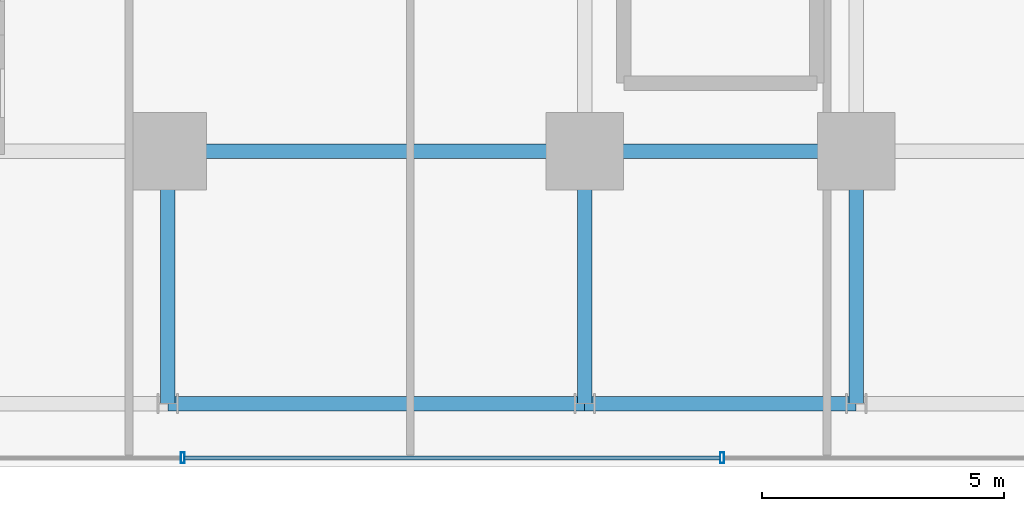
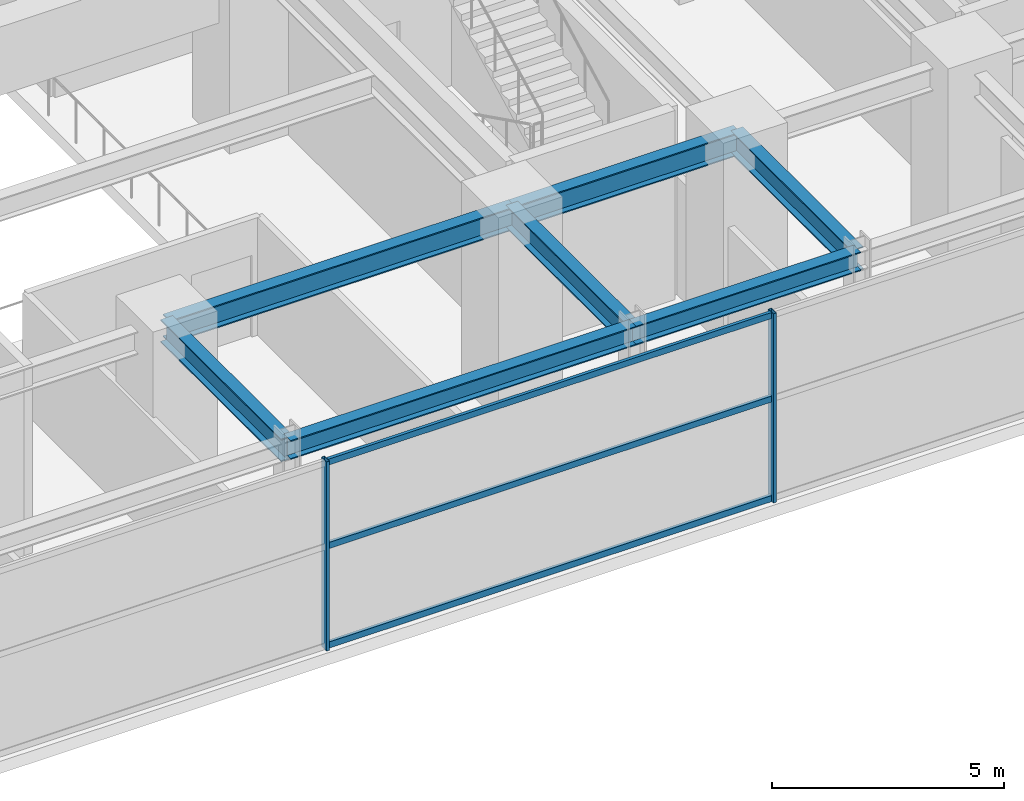
# One storey, part 6 of 35: 7 beams, 5 members, 1 element without a shape of its own.
"""IFC4 building model written with IfcOpenShell, lengths in metres."""

import ifcopenshell
import ifcopenshell.guid

model = None  # the IFC model being written
_history = None  # IfcOwnerHistory: only IFC2X3 demands one
_inside = {}  # id of a spatial element -> (the spatial element, [elements in it])
_under = {}  # id of a project, library or spatial element -> (it, [spatial elements below it])
_declared = {}  # id of a project -> (the project, [libraries it declares])
_typed = {}  # id of a type object -> (the type object, [elements of that type])
_made_of = {}  # id of a material, layer set ... -> (it, [elements and type objects made of it])


def new_model(schema):
    """Start an empty IFC model of exactly this schema.

    Asked for "IFC4X3", IfcOpenShell would pick the latest addendum, in which some entities
    have other attributes; the version numbers below select the first issue.
    IFC2X3 requires an IfcOwnerHistory on every rooted entity: one is made here for all.
    """
    global model, _history
    if schema == "IFC4X3":
        model = ifcopenshell.file(schema_version=(4, 3, 0, 0))
    else:
        model = ifcopenshell.file(schema=schema)
    _inside.clear()
    _under.clear()
    _declared.clear()
    _typed.clear()
    _made_of.clear()
    _history = None
    if model.schema == "IFC2X3":
        org = make("IfcOrganization", Name="unknown")
        user = make(
            "IfcPersonAndOrganization",
            ThePerson=make("IfcPerson", FamilyName="unknown"),
            TheOrganization=org,
        )
        app = make(
            "IfcApplication",
            ApplicationDeveloper=org,
            Version="unknown",
            ApplicationFullName="unknown",
            ApplicationIdentifier="unknown",
        )
        _history = make(
            "IfcOwnerHistory",
            OwningUser=user,
            OwningApplication=app,
            ChangeAction="ADDED",
            CreationDate=0,
        )
    return model


def make(cls, **values):
    """One entity of the class cls with the attributes given. An attribute that is None is left unset."""
    return model.create_entity(
        cls, **{name: value for name, value in values.items() if value is not None}
    )


def rooted(cls, **values):
    """An entity with a GlobalId (a new one), such as an element, a storey or a relation."""
    return make(cls, GlobalId=ifcopenshell.guid.new(), OwnerHistory=_history, **values)


def si_unit(unit_type, name, prefix=None):
    """IfcSIUnit, for example si_unit("LENGTHUNIT", "METRE", prefix="MILLI")."""
    return make("IfcSIUnit", UnitType=unit_type, Prefix=prefix, Name=name)


def assignment(units):
    """IfcUnitAssignment: the units of a project."""
    return None if units is None else make("IfcUnitAssignment", Units=units)


def point(xyz):
    """IfcCartesianPoint."""
    return None if xyz is None else make("IfcCartesianPoint", Coordinates=xyz)


def direction(xyz):
    """IfcDirection."""
    return None if xyz is None else make("IfcDirection", DirectionRatios=xyz)


def frame(location, z_axis=None, x_axis=None):
    """IfcAxis2Placement3D, a coordinate frame: its origin and axes. An axis left out is left unset."""
    return make(
        "IfcAxis2Placement3D",
        Location=point(location),
        Axis=direction(z_axis),
        RefDirection=direction(x_axis),
    )


def frame_2d(location, x_axis=None):
    """IfcAxis2Placement2D, a coordinate frame in the plane: its origin and x axis."""
    return make(
        "IfcAxis2Placement2D", Location=point(location), RefDirection=direction(x_axis)
    )


def origin():
    """The frame at (0, 0, 0) with its axes left unset."""
    return frame((0.0, 0.0, 0.0))


def origin_2d():
    """The frame at (0, 0) in the plane with its x axis left unset."""
    return frame_2d((0.0, 0.0))


def place(relative_to, where):
    """IfcLocalPlacement: puts the frame where relative to a parent placement (None: the world)."""
    return make(
        "IfcLocalPlacement", PlacementRelTo=relative_to, RelativePlacement=where
    )


def context(
    kind, dimensions, precision=None, world=None, true_north=None, identifier=None
):
    """IfcGeometricRepresentationContext, for example the 3D "Model" context."""
    return make(
        "IfcGeometricRepresentationContext",
        ContextIdentifier=identifier,
        ContextType=kind,
        CoordinateSpaceDimension=dimensions,
        Precision=precision,
        WorldCoordinateSystem=world,
        TrueNorth=true_north,
    )


def subcontext(parent, identifier, kind, view, scale=None):
    """IfcGeometricRepresentationSubContext, for example "Body" below "Model"."""
    return make(
        "IfcGeometricRepresentationSubContext",
        ContextIdentifier=identifier,
        ContextType=kind,
        ParentContext=parent,
        TargetScale=scale,
        TargetView=view,
    )


def project(units=None, contexts=None):
    """IfcProject with its units and contexts."""
    return rooted(
        "IfcProject",
        Name="project",
        RepresentationContexts=contexts,
        UnitsInContext=assignment(units),
    )


def spatial(cls, under=None, at=None, **own):
    """A site, building, storey or space (cls), placed at a placement, below another one or the project."""
    s = rooted(cls, ObjectPlacement=at, **own)
    if under is not None:
        _under.setdefault(under.id(), (under, []))[1].append(s)
    return s


def profile(cls, at=None, kind="AREA", **sizes):
    """A parametric profile (cls). Its sizes go by their IFC names, for example OverallWidth=200.0."""
    return make(cls, ProfileType=kind, Position=at, **sizes)


def hollow_rectangle(**sizes):
    """IfcRectangleHollowProfileDef."""
    return profile("IfcRectangleHollowProfileDef", **sizes)


def i_section(**sizes):
    """IfcIShapeProfileDef."""
    return profile("IfcIShapeProfileDef", **sizes)


def extrude(swept, where, along, depth):
    """IfcExtrudedAreaSolid: the profile swept, set in the frame where, extruded along a direction by depth."""
    return make(
        "IfcExtrudedAreaSolid",
        SweptArea=swept,
        Position=where,
        ExtrudedDirection=direction(along),
        Depth=depth,
    )


def shape(context_of_items, identifier, shape_type, items):
    """IfcShapeRepresentation: the items that make up one representation, for example the "Body"."""
    return make(
        "IfcShapeRepresentation",
        ContextOfItems=context_of_items,
        RepresentationIdentifier=identifier,
        RepresentationType=shape_type,
        Items=items,
    )


def source(mapping_origin, context_of_items, identifier, shape_type, items):
    """IfcRepresentationMap: a shape defined once, which mapped items show again and again."""
    return make(
        "IfcRepresentationMap",
        MappingOrigin=mapping_origin,
        MappedRepresentation=shape(context_of_items, identifier, shape_type, items),
    )


def transform(
    local_origin,
    x_axis=None,
    y_axis=None,
    z_axis=None,
    scale=None,
    scale2=None,
    scale3=None,
    uniform=True,
):
    """IfcCartesianTransformationOperator3D, or its non-uniform kind. x_axis, y_axis, z_axis: its Axis1, 2, 3."""
    if uniform:
        return make(
            "IfcCartesianTransformationOperator3D",
            Axis1=direction(x_axis),
            Axis2=direction(y_axis),
            LocalOrigin=point(local_origin),
            Scale=scale,
            Axis3=direction(z_axis),
        )
    return make(
        "IfcCartesianTransformationOperator3DnonUniform",
        Axis1=direction(x_axis),
        Axis2=direction(y_axis),
        LocalOrigin=point(local_origin),
        Scale=scale,
        Axis3=direction(z_axis),
        Scale2=scale2,
        Scale3=scale3,
    )


def mapped(mapping_source, mapping_target):
    """IfcMappedItem: shows the shape of a source again, moved by a transform."""
    return make(
        "IfcMappedItem", MappingSource=mapping_source, MappingTarget=mapping_target
    )


def material(Name=None, Category=None):
    """IfcMaterial."""
    return make("IfcMaterial", Name=Name, Category=Category)


def material_profile(
    of_material, cross_section, Name=None, Category=None, Priority=None
):
    """IfcMaterialProfile: a cross section and its material."""
    return make(
        "IfcMaterialProfile",
        Name=Name,
        Material=of_material,
        Profile=cross_section,
        Priority=Priority,
        Category=Category,
    )


def profile_set(profiles, Name=None, composite=None):
    """IfcMaterialProfileSet."""
    return make(
        "IfcMaterialProfileSet",
        Name=Name,
        MaterialProfiles=profiles,
        CompositeProfile=composite,
    )


def made_of(thing, what):
    """Note that an element or type object is made of a material, layer set ...; save() writes the relation."""
    if what is not None:
        _made_of.setdefault(what.id(), (what, []))[1].append(thing)
    return thing


def type_object(cls, material=None, **own):
    """A type object (cls), such as IfcWallType, which elements share."""
    return made_of(rooted(cls, **own), material)


def element(
    cls,
    number,
    at=None,
    inside=None,
    cuts=None,
    type_object=None,
    material=None,
    context=None,
    identifier="Body",
    shape_type=None,
    held_by="IfcProductDefinitionShape",
    body=None,
    shapes=None,
    **own,
):
    """One element of the class cls, such as IfcWall. Its Tag is "e" and its number.

    at: its placement. inside: the storey or other place that contains it. cuts: it is an
    opening in that element (IfcRelVoidsElement). A single representation is given by context,
    identifier, shape_type and body (its items); several are given by shapes. held_by: the class
    of the entity that holds the representations. save() writes the other relations.
    """
    e = rooted(cls, Tag="e%d" % number, ObjectPlacement=at, **own)
    if body is not None:
        shapes = [shape(context, identifier, shape_type, body)]
    if shapes is not None:
        e.Representation = make(held_by, Representations=shapes)
    if inside is not None:
        _inside.setdefault(inside.id(), (inside, []))[1].append(e)
    if cuts is not None:
        rooted(
            "IfcRelVoidsElement", RelatingBuildingElement=cuts, RelatedOpeningElement=e
        )
    if type_object is not None:
        _typed.setdefault(type_object.id(), (type_object, []))[1].append(e)
    return made_of(e, material)


def aggregate(whole, parts):
    """IfcRelAggregates: a whole, such as a stair, and the parts it consists of."""
    return rooted("IfcRelAggregates", RelatingObject=whole, RelatedObjects=parts)


def save(model, path):
    """Write the relations noted so far, then the file.

    IfcRelAggregates (storeys below a building ...), IfcRelContainedInSpatialStructure (elements
    in a storey), IfcRelDefinesByType, IfcRelAssociatesMaterial and IfcRelDeclares: one each for
    every whole, place, type object, material and project.
    """
    for whole, parts in _under.values():
        aggregate(whole, parts)
    for where, things in _inside.values():
        rooted(
            "IfcRelContainedInSpatialStructure",
            RelatedElements=things,
            RelatingStructure=where,
        )
    for kind, things in _typed.values():
        rooted("IfcRelDefinesByType", RelatedObjects=things, RelatingType=kind)
    for what, things in _made_of.values():
        rooted("IfcRelAssociatesMaterial", RelatedObjects=things, RelatingMaterial=what)
    for by, libraries in _declared.values():
        rooted("IfcRelDeclares", RelatingContext=by, RelatedDefinitions=libraries)
    model.write(path)


model = new_model("IFC4")

# Units and contexts
model_context = context("Model", 3, precision=1e-05, world=origin(), true_north=direction((0.0, 1.0)))
body_context = subcontext(model_context, "Body", "Model", "MODEL_VIEW")
ifc_project = project(units=[si_unit("LENGTHUNIT", "METRE"), si_unit("AREAUNIT", "SQUARE_METRE"), si_unit("VOLUMEUNIT", "CUBIC_METRE"), si_unit("PLANEANGLEUNIT", "RADIAN"), si_unit("MASSUNIT", "GRAM", prefix="KILO")], contexts=[model_context])

# Site, building, storey
site_placement = place(None, origin())
site = spatial("IfcSite", under=ifc_project, at=site_placement, CompositionType="ELEMENT")
building_placement = place(site_placement, origin())
building = spatial("IfcBuilding", under=site, at=building_placement, Name="Nahalor Promenade Grand Hotel", CompositionType="ELEMENT")
storey_placement = place(building_placement, frame((0.0, 0.0, 21.60009765625)))
storey = spatial("IfcBuildingStorey", under=building, at=storey_placement, Name="L04", CompositionType="ELEMENT", Elevation=21.60009765625)

# Beams
ifc_material_1 = material(Name="Steel S355JR", Category="steel")
ifc_material_profile_1 = material_profile(ifc_material_1, i_section(OverallWidth=0.3, OverallDepth=0.6, WebThickness=0.0155, FlangeThickness=0.03, at=origin_2d()), Name="HEB 600")
ifc_profile_set_1 = profile_set([ifc_material_profile_1], Name="Steel S355JR")
beam_type_1 = type_object("IfcBeamType", Name="Beam-Girder-HEB600", PredefinedType="BEAM", material=ifc_profile_set_1)
shared_shape_1 = source(origin(), body_context, "Body", "SweptSolid", [
    extrude(i_section(OverallWidth=0.3, OverallDepth=0.6, WebThickness=0.0155, FlangeThickness=0.03, at=origin_2d()), origin(), (0.0, 0.0, 1.0), 8.60009765625),
])
beam_1_placement = place(storey_placement, frame((-17.0, -17.0, 4.679931640625), z_axis=(1.0, 0.0, 0.0), x_axis=(0.0, 1.0, 0.0)))
element("IfcBeam", 1, at=beam_1_placement, inside=storey, type_object=beam_type_1, Name="BM-L04-GX-0-2", PredefinedType="BEAM", context=body_context, shape_type="MappedRepresentation", body=[
    mapped(shared_shape_1, transform((0.0, 0.0, 0.0), scale=1.0)),
])
shared_shape_2 = source(origin(), body_context, "Body", "SweptSolid", [
    extrude(i_section(OverallWidth=0.3, OverallDepth=0.6, WebThickness=0.0155, FlangeThickness=0.03, at=origin_2d()), origin(), (0.0, 0.0, 1.0), 5.599853515625),
])
beam_2_placement = place(storey_placement, frame((-8.39990234375, -17.0, 4.679931640625), z_axis=(1.0, 0.0, 0.0), x_axis=(0.0, 1.0, 0.0)))
element("IfcBeam", 2, at=beam_2_placement, inside=storey, type_object=beam_type_1, Name="BM-L04-GX-0-3", PredefinedType="BEAM", context=body_context, shape_type="MappedRepresentation", body=[
    mapped(shared_shape_2, transform((0.0, 0.0, 0.0), scale=1.0)),
])
shared_shape_3 = source(origin(), body_context, "Body", "SweptSolid", [
    extrude(i_section(OverallWidth=0.3, OverallDepth=0.6, WebThickness=0.0155, FlangeThickness=0.03, at=origin_2d()), origin(), (0.0, 0.0, 1.0), 5.199951171875),
])
for number, where, z_axis, x_axis, name in (
    (3, (-17.0, -22.199951171875, 4.679931640625), (0.0, 1.0, 0.0), (-1.0, 0.0, 0.0), "BM-L04-GY-0-0"),
    (4, (-8.39990234375, -22.199951171875, 4.679931640625), (0.0, 1.0, 0.0), (-1.0, 0.0, 0.0), "BM-L04-GY-1-0"),
    (5, (-2.800048828125, -22.199951171875, 4.679931640625), (0.0, 1.0, 0.0), (-1.0, 0.0, 0.0), "BM-L04-GY-2-0"),
):
    element("IfcBeam", number, at=place(storey_placement, frame(where, z_axis=z_axis, x_axis=x_axis)), inside=storey, type_object=beam_type_1, Name=name, PredefinedType="BEAM", context=body_context, shape_type="MappedRepresentation", body=[
        mapped(shared_shape_3, transform((0.0, 0.0, 0.0), scale=1.0)),
    ])
ifc_material_profile_2 = material_profile(ifc_material_1, i_section(OverallWidth=0.3, OverallDepth=0.5, WebThickness=0.0145, FlangeThickness=0.028, at=origin_2d()), Name="HEB 500")
ifc_profile_set_2 = profile_set([ifc_material_profile_2], Name="Steel S355JR")
beam_type_2 = type_object("IfcBeamType", Name="Beam-Spandrel-HEB500", PredefinedType="SPANDREL", material=ifc_profile_set_2)
shared_shape_4 = source(origin(), body_context, "Body", "SweptSolid", [
    extrude(i_section(OverallWidth=0.3, OverallDepth=0.5, WebThickness=0.0145, FlangeThickness=0.028, at=origin_2d()), origin(), (0.0, 0.0, 1.0), 8.60009765625),
])
beam_3_placement = place(storey_placement, frame((-17.0, -22.199951171875, 4.72998046875), z_axis=(1.0, 0.0, 0.0), x_axis=(0.0, 1.0, 0.0)))
element("IfcBeam", 6, at=beam_3_placement, inside=storey, type_object=beam_type_2, Name="BM-L04-SP-S-0", PredefinedType="SPANDREL", context=body_context, shape_type="MappedRepresentation", body=[
    mapped(shared_shape_4, transform((0.0, 0.0, 0.0), scale=1.0)),
])
shared_shape_5 = source(origin(), body_context, "Body", "SweptSolid", [
    extrude(i_section(OverallWidth=0.3, OverallDepth=0.5, WebThickness=0.0145, FlangeThickness=0.028, at=origin_2d()), origin(), (0.0, 0.0, 1.0), 5.599853515625),
])
beam_4_placement = place(storey_placement, frame((-8.39990234375, -22.199951171875, 4.72998046875), z_axis=(1.0, 0.0, 0.0), x_axis=(0.0, 1.0, 0.0)))
element("IfcBeam", 7, at=beam_4_placement, inside=storey, type_object=beam_type_2, Name="BM-L04-SP-S-1", PredefinedType="SPANDREL", context=body_context, shape_type="MappedRepresentation", body=[
    mapped(shared_shape_5, transform((0.0, 0.0, 0.0), scale=1.0)),
])

# Curtain wall, members
ifc_material_2 = material(Name="Anodised Bronze Aluminium EN AW-6063 T6", Category="aluminium")
curtain_wall_type = type_object("IfcCurtainWallType", Name="CW1 Waterfront Podium Bronze Arcade Curtain Wall", PredefinedType="USERDEFINED", material=ifc_material_2)
curtain_wall_placement = place(storey_placement, origin())
curtain_wall = element("IfcCurtainWall", 8, at=curtain_wall_placement, inside=storey, type_object=curtain_wall_type, Name="L04 Curtain Wall CW-L04-S", ObjectType="UNITISED_CURTAIN_WALL", PredefinedType="USERDEFINED")
ifc_material_profile_3 = material_profile(ifc_material_2, hollow_rectangle(XDim=0.08, YDim=0.22, WallThickness=0.005, at=origin_2d()), Name="CWM 80x220x5")
ifc_profile_set_3 = profile_set([ifc_material_profile_3], Name="Anodised Bronze Aluminium EN AW-6063 T6")
member_type_1 = type_object("IfcMemberType", Name="CWM1 Podium Bronze Mullion 80x220", PredefinedType="MULLION", material=ifc_profile_set_3)
shared_shape_6 = source(origin(), body_context, "Body", "SweptSolid", [
    extrude(hollow_rectangle(XDim=0.08, YDim=0.22, WallThickness=0.005, at=origin_2d()), origin(), (0.0, 0.0, 1.0), 4.97998046875),
])
member_1_placement = place(storey_placement, frame((-16.69189453125, -23.320068359375, 0.0), z_axis=(0.0, 0.0, 1.0), x_axis=(1.0, 0.0, 0.0)))
member_1 = element("IfcMember", 9, at=member_1_placement, type_object=member_type_1, Name="CW-L04-S Mullion 1", PredefinedType="MULLION", context=body_context, shape_type="MappedRepresentation", body=[
    mapped(shared_shape_6, transform((0.0, 0.0, 0.0), scale=1.0)),
])
member_2_placement = place(storey_placement, frame((-5.56396484375, -23.320068359375, 0.0), z_axis=(0.0, 0.0, 1.0), x_axis=(1.0, 0.0, 0.0)))
member_2 = element("IfcMember", 10, at=member_2_placement, type_object=member_type_1, Name="CW-L04-S Mullion 2", PredefinedType="MULLION", context=body_context, shape_type="MappedRepresentation", body=[
    mapped(shared_shape_6, transform((0.0, 0.0, 0.0), scale=1.0)),
])
ifc_material_profile_4 = material_profile(ifc_material_2, hollow_rectangle(XDim=0.08, YDim=0.16, WallThickness=0.004, at=origin_2d()), Name="CWT 80x160x4")
ifc_profile_set_4 = profile_set([ifc_material_profile_4], Name="Anodised Bronze Aluminium EN AW-6063 T6")
member_type_2 = type_object("IfcMemberType", Name="CWT1 Podium Bronze Transom 80x160", PredefinedType="USERDEFINED", material=ifc_profile_set_4)
shared_shape_7 = source(origin(), body_context, "Body", "SweptSolid", [
    extrude(hollow_rectangle(XDim=0.08, YDim=0.16, WallThickness=0.004, at=origin_2d()), origin(), (0.0, 0.0, 1.0), 11.048095703125),
])
member_3_placement = place(storey_placement, frame((-16.652099609375, -23.320068359375, 0.079833984375), z_axis=(1.0, 0.0, 0.0), x_axis=(0.0, 1.0, 0.0)))
member_3 = element("IfcMember", 11, at=member_3_placement, type_object=member_type_2, Name="CW-L04-S Transom 1-0", ObjectType="TRANSOM", PredefinedType="USERDEFINED", context=body_context, shape_type="MappedRepresentation", body=[
    mapped(shared_shape_7, transform((0.0, 0.0, 0.0), scale=1.0)),
])
member_4_placement = place(storey_placement, frame((-16.652099609375, -23.320068359375, 2.699951171875), z_axis=(1.0, 0.0, 0.0), x_axis=(0.0, 1.0, 0.0)))
member_4 = element("IfcMember", 12, at=member_4_placement, type_object=member_type_2, Name="CW-L04-S Transom 1-1", ObjectType="TRANSOM", PredefinedType="USERDEFINED", context=body_context, shape_type="MappedRepresentation", body=[
    mapped(shared_shape_7, transform((0.0, 0.0, 0.0), scale=1.0)),
])
member_5_placement = place(storey_placement, frame((-16.652099609375, -23.320068359375, 4.89990234375), z_axis=(1.0, 0.0, 0.0), x_axis=(0.0, 1.0, 0.0)))
member_5 = element("IfcMember", 13, at=member_5_placement, type_object=member_type_2, Name="CW-L04-S Transom 1-2", ObjectType="TRANSOM", PredefinedType="USERDEFINED", context=body_context, shape_type="MappedRepresentation", body=[
    mapped(shared_shape_7, transform((0.0, 0.0, 0.0), scale=1.0)),
])
aggregate(curtain_wall, [member_1, member_2, member_3, member_4, member_5])

save(model, "model.ifc")
